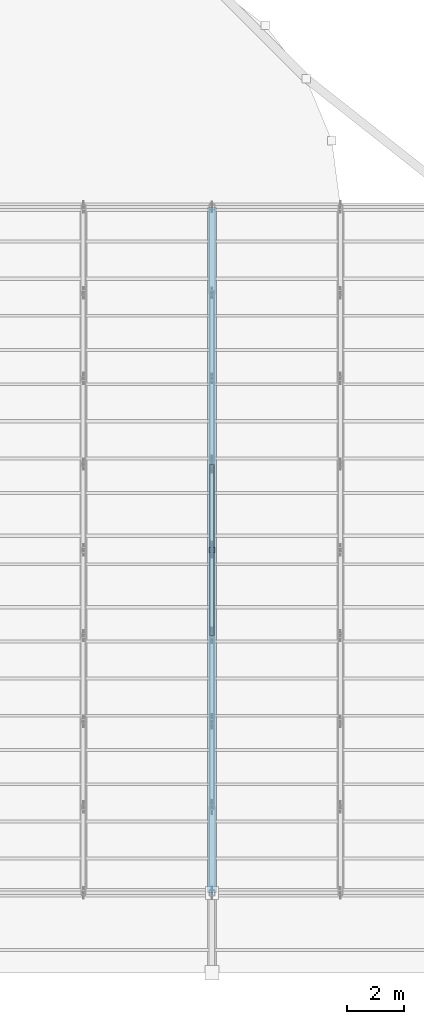
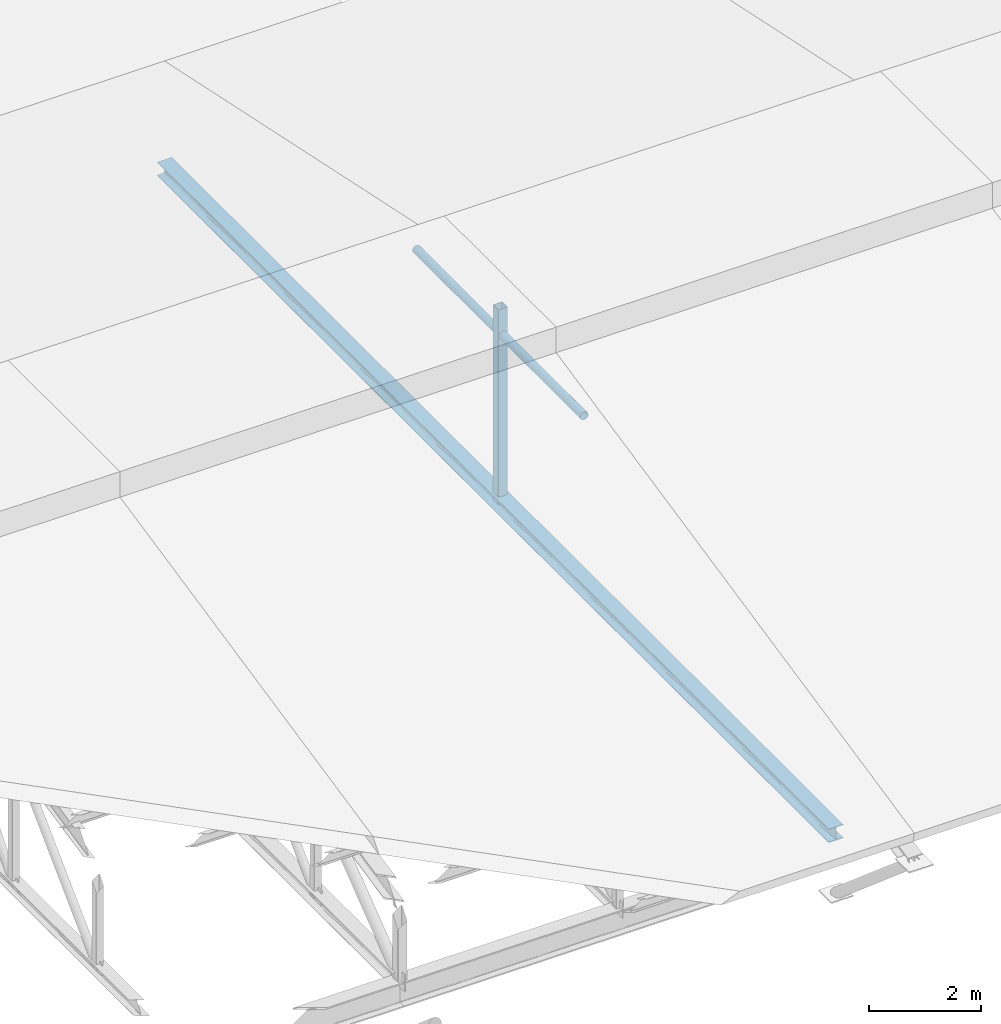
# One storey, part 17 of 43: 3 members.
"""IFC4 building model written with IfcOpenShell, lengths in metres."""

import ifcopenshell
import ifcopenshell.guid

model = None  # the IFC model being written
_history = None  # IfcOwnerHistory: only IFC2X3 demands one
_inside = {}  # id of a spatial element -> (the spatial element, [elements in it])
_under = {}  # id of a project, library or spatial element -> (it, [spatial elements below it])
_declared = {}  # id of a project -> (the project, [libraries it declares])
_typed = {}  # id of a type object -> (the type object, [elements of that type])
_made_of = {}  # id of a material, layer set ... -> (it, [elements and type objects made of it])


def new_model(schema):
    """Start an empty IFC model of exactly this schema.

    Asked for "IFC4X3", IfcOpenShell would pick the latest addendum, in which some entities
    have other attributes; the version numbers below select the first issue.
    IFC2X3 requires an IfcOwnerHistory on every rooted entity: one is made here for all.
    """
    global model, _history
    if schema == "IFC4X3":
        model = ifcopenshell.file(schema_version=(4, 3, 0, 0))
    else:
        model = ifcopenshell.file(schema=schema)
    _inside.clear()
    _under.clear()
    _declared.clear()
    _typed.clear()
    _made_of.clear()
    _history = None
    if model.schema == "IFC2X3":
        org = make("IfcOrganization", Name="unknown")
        user = make(
            "IfcPersonAndOrganization",
            ThePerson=make("IfcPerson", FamilyName="unknown"),
            TheOrganization=org,
        )
        app = make(
            "IfcApplication",
            ApplicationDeveloper=org,
            Version="unknown",
            ApplicationFullName="unknown",
            ApplicationIdentifier="unknown",
        )
        _history = make(
            "IfcOwnerHistory",
            OwningUser=user,
            OwningApplication=app,
            ChangeAction="ADDED",
            CreationDate=0,
        )
    return model


def make(cls, **values):
    """One entity of the class cls with the attributes given. An attribute that is None is left unset."""
    return model.create_entity(
        cls, **{name: value for name, value in values.items() if value is not None}
    )


def rooted(cls, **values):
    """An entity with a GlobalId (a new one), such as an element, a storey or a relation."""
    return make(cls, GlobalId=ifcopenshell.guid.new(), OwnerHistory=_history, **values)


def si_unit(unit_type, name, prefix=None):
    """IfcSIUnit, for example si_unit("LENGTHUNIT", "METRE", prefix="MILLI")."""
    return make("IfcSIUnit", UnitType=unit_type, Prefix=prefix, Name=name)


def assignment(units):
    """IfcUnitAssignment: the units of a project."""
    return None if units is None else make("IfcUnitAssignment", Units=units)


def point(xyz):
    """IfcCartesianPoint."""
    return None if xyz is None else make("IfcCartesianPoint", Coordinates=xyz)


def direction(xyz):
    """IfcDirection."""
    return None if xyz is None else make("IfcDirection", DirectionRatios=xyz)


def frame(location, z_axis=None, x_axis=None):
    """IfcAxis2Placement3D, a coordinate frame: its origin and axes. An axis left out is left unset."""
    return make(
        "IfcAxis2Placement3D",
        Location=point(location),
        Axis=direction(z_axis),
        RefDirection=direction(x_axis),
    )


def frame_2d(location, x_axis=None):
    """IfcAxis2Placement2D, a coordinate frame in the plane: its origin and x axis."""
    return make(
        "IfcAxis2Placement2D", Location=point(location), RefDirection=direction(x_axis)
    )


def origin():
    """The frame at (0, 0, 0) with its axes left unset."""
    return frame((0.0, 0.0, 0.0))


def origin_2d():
    """The frame at (0, 0) in the plane with its x axis left unset."""
    return frame_2d((0.0, 0.0))


def place(relative_to, where):
    """IfcLocalPlacement: puts the frame where relative to a parent placement (None: the world)."""
    return make(
        "IfcLocalPlacement", PlacementRelTo=relative_to, RelativePlacement=where
    )


def context(
    kind, dimensions, precision=None, world=None, true_north=None, identifier=None
):
    """IfcGeometricRepresentationContext, for example the 3D "Model" context."""
    return make(
        "IfcGeometricRepresentationContext",
        ContextIdentifier=identifier,
        ContextType=kind,
        CoordinateSpaceDimension=dimensions,
        Precision=precision,
        WorldCoordinateSystem=world,
        TrueNorth=true_north,
    )


def subcontext(parent, identifier, kind, view, scale=None):
    """IfcGeometricRepresentationSubContext, for example "Body" below "Model"."""
    return make(
        "IfcGeometricRepresentationSubContext",
        ContextIdentifier=identifier,
        ContextType=kind,
        ParentContext=parent,
        TargetScale=scale,
        TargetView=view,
    )


def project(units=None, contexts=None):
    """IfcProject with its units and contexts."""
    return rooted(
        "IfcProject",
        Name="project",
        RepresentationContexts=contexts,
        UnitsInContext=assignment(units),
    )


def spatial(cls, under=None, at=None, **own):
    """A site, building, storey or space (cls), placed at a placement, below another one or the project."""
    s = rooted(cls, ObjectPlacement=at, **own)
    if under is not None:
        _under.setdefault(under.id(), (under, []))[1].append(s)
    return s


def profile(cls, at=None, kind="AREA", **sizes):
    """A parametric profile (cls). Its sizes go by their IFC names, for example OverallWidth=200.0."""
    return make(cls, ProfileType=kind, Position=at, **sizes)


def hollow_rectangle(**sizes):
    """IfcRectangleHollowProfileDef."""
    return profile("IfcRectangleHollowProfileDef", **sizes)


def hollow_circle(**sizes):
    """IfcCircleHollowProfileDef."""
    return profile("IfcCircleHollowProfileDef", **sizes)


def i_section(**sizes):
    """IfcIShapeProfileDef."""
    return profile("IfcIShapeProfileDef", **sizes)


def extrude(swept, where, along, depth):
    """IfcExtrudedAreaSolid: the profile swept, set in the frame where, extruded along a direction by depth."""
    return make(
        "IfcExtrudedAreaSolid",
        SweptArea=swept,
        Position=where,
        ExtrudedDirection=direction(along),
        Depth=depth,
    )


def shape(context_of_items, identifier, shape_type, items):
    """IfcShapeRepresentation: the items that make up one representation, for example the "Body"."""
    return make(
        "IfcShapeRepresentation",
        ContextOfItems=context_of_items,
        RepresentationIdentifier=identifier,
        RepresentationType=shape_type,
        Items=items,
    )


def material(Name=None, Category=None):
    """IfcMaterial."""
    return make("IfcMaterial", Name=Name, Category=Category)


def material_profile(
    of_material, cross_section, Name=None, Category=None, Priority=None
):
    """IfcMaterialProfile: a cross section and its material."""
    return make(
        "IfcMaterialProfile",
        Name=Name,
        Material=of_material,
        Profile=cross_section,
        Priority=Priority,
        Category=Category,
    )


def profile_set(profiles, Name=None, composite=None):
    """IfcMaterialProfileSet."""
    return make(
        "IfcMaterialProfileSet",
        Name=Name,
        MaterialProfiles=profiles,
        CompositeProfile=composite,
    )


def made_of(thing, what):
    """Note that an element or type object is made of a material, layer set ...; save() writes the relation."""
    if what is not None:
        _made_of.setdefault(what.id(), (what, []))[1].append(thing)
    return thing


def type_object(cls, material=None, **own):
    """A type object (cls), such as IfcWallType, which elements share."""
    return made_of(rooted(cls, **own), material)


def element(
    cls,
    number,
    at=None,
    inside=None,
    cuts=None,
    type_object=None,
    material=None,
    context=None,
    identifier="Body",
    shape_type=None,
    held_by="IfcProductDefinitionShape",
    body=None,
    shapes=None,
    **own,
):
    """One element of the class cls, such as IfcWall. Its Tag is "e" and its number.

    at: its placement. inside: the storey or other place that contains it. cuts: it is an
    opening in that element (IfcRelVoidsElement). A single representation is given by context,
    identifier, shape_type and body (its items); several are given by shapes. held_by: the class
    of the entity that holds the representations. save() writes the other relations.
    """
    e = rooted(cls, Tag="e%d" % number, ObjectPlacement=at, **own)
    if body is not None:
        shapes = [shape(context, identifier, shape_type, body)]
    if shapes is not None:
        e.Representation = make(held_by, Representations=shapes)
    if inside is not None:
        _inside.setdefault(inside.id(), (inside, []))[1].append(e)
    if cuts is not None:
        rooted(
            "IfcRelVoidsElement", RelatingBuildingElement=cuts, RelatedOpeningElement=e
        )
    if type_object is not None:
        _typed.setdefault(type_object.id(), (type_object, []))[1].append(e)
    return made_of(e, material)


def aggregate(whole, parts):
    """IfcRelAggregates: a whole, such as a stair, and the parts it consists of."""
    return rooted("IfcRelAggregates", RelatingObject=whole, RelatedObjects=parts)


def save(model, path):
    """Write the relations noted so far, then the file.

    IfcRelAggregates (storeys below a building ...), IfcRelContainedInSpatialStructure (elements
    in a storey), IfcRelDefinesByType, IfcRelAssociatesMaterial and IfcRelDeclares: one each for
    every whole, place, type object, material and project.
    """
    for whole, parts in _under.values():
        aggregate(whole, parts)
    for where, things in _inside.values():
        rooted(
            "IfcRelContainedInSpatialStructure",
            RelatedElements=things,
            RelatingStructure=where,
        )
    for kind, things in _typed.values():
        rooted("IfcRelDefinesByType", RelatedObjects=things, RelatingType=kind)
    for what, things in _made_of.values():
        rooted("IfcRelAssociatesMaterial", RelatedObjects=things, RelatingMaterial=what)
    for by, libraries in _declared.values():
        rooted("IfcRelDeclares", RelatingContext=by, RelatedDefinitions=libraries)
    model.write(path)


model = new_model("IFC4")

# Units and contexts
model_context = context("Model", 3, precision=1e-05, world=origin(), true_north=direction((0.0, 1.0)))
body_context = subcontext(model_context, "Body", "Model", "MODEL_VIEW")
ifc_project = project(units=[si_unit("LENGTHUNIT", "METRE"), si_unit("AREAUNIT", "SQUARE_METRE"), si_unit("VOLUMEUNIT", "CUBIC_METRE"), si_unit("PLANEANGLEUNIT", "RADIAN"), si_unit("MASSUNIT", "GRAM", prefix="KILO")], contexts=[model_context])

# Site, building, storey
site_placement = place(None, origin())
site = spatial("IfcSite", under=ifc_project, at=site_placement, CompositionType="ELEMENT")
building_placement = place(site_placement, origin())
building = spatial("IfcBuilding", under=site, at=building_placement, Name="Serraforn Aerial Cableway Station", CompositionType="ELEMENT")
storey_placement = place(building_placement, frame((0.0, 0.0, 18.300048828125)))
storey = spatial("IfcBuildingStorey", under=building, at=storey_placement, Name="RF", CompositionType="ELEMENT", Elevation=18.300048828125)

# Members
ifc_material = material(Name="Steel S355J2", Category="steel")
ifc_material_profile_1 = material_profile(ifc_material, i_section(OverallWidth=0.300048828125, OverallDepth=0.300048828125, WebThickness=0.008544921875, FlangeThickness=0.013916015625, FilletRadius=0.027099609375, at=origin_2d()), Name="HEA 300")
ifc_profile_set_1 = profile_set([ifc_material_profile_1], Name="Steel S355J2")
member_type_1 = type_object("IfcMemberType", Name="MEM-BC-HEA300", PredefinedType="CHORD", material=ifc_profile_set_1)
member_1_placement = place(storey_placement, frame((63.60009765625, 18.0, -1.35009765625), z_axis=(0.0, 1.0, 0.0), x_axis=(-1.0, 0.0, 0.0)))
element("IfcMember", 1, at=member_1_placement, inside=storey, type_object=member_type_1, Name="Roof Truss TR-05 Bottom Chord", PredefinedType="CHORD", context=body_context, shape_type="SweptSolid", body=[
    extrude(i_section(OverallWidth=0.300048828125, OverallDepth=0.300048828125, WebThickness=0.008544921875, FlangeThickness=0.013916015625, FilletRadius=0.027099609375, at=origin_2d()), origin(), (0.0, 0.0, 1.0), 24.0),
])
ifc_material_profile_2 = material_profile(ifc_material, hollow_circle(Radius=0.084228515625, WallThickness=0.008056640625, at=origin_2d()), Name="CHS 168.3x8.0")
ifc_profile_set_2 = profile_set([ifc_material_profile_2], Name="Steel S355J2")
member_type_2 = type_object("IfcMemberType", Name="MEM-CL-CHS168", PredefinedType="COLLAR", material=ifc_profile_set_2)
member_2_placement = place(storey_placement, frame((63.60009765625, 27.0, 2.3076171875), z_axis=(0.0, 1.0, 0.0), x_axis=(-1.0, 0.0, 0.0)))
element("IfcMember", 2, at=member_2_placement, inside=storey, type_object=member_type_2, Name="Roof Truss TR-05 Collar Tie", PredefinedType="COLLAR", context=body_context, shape_type="SweptSolid", body=[
    extrude(hollow_circle(Radius=0.084228515625, WallThickness=0.008056640625, at=origin_2d()), origin(), (0.0, 0.0, 1.0), 6.0),
])
ifc_material_profile_3 = material_profile(ifc_material, hollow_rectangle(XDim=0.199951171875, YDim=0.199951171875, WallThickness=0.010009765625, InnerFilletRadius=0.010009765625, OuterFilletRadius=0.02001953125, at=origin_2d()), Name="SHS 200x200x10.0")
ifc_profile_set_3 = profile_set([ifc_material_profile_3], Name="Steel S355J2")
member_type_3 = type_object("IfcMemberType", Name="MEM-VP-SHS200", PredefinedType="STRUT", material=ifc_profile_set_3)
member_3_placement = place(storey_placement, frame((63.60009765625, 30.0, -1.360107421875), z_axis=(0.0, 0.0, 1.0), x_axis=(1.0, 0.0, 0.0)))
element("IfcMember", 3, at=member_3_placement, inside=storey, type_object=member_type_3, Name="Roof Truss TR-05 Vertical Post 5", PredefinedType="STRUT", context=body_context, shape_type="SweptSolid", body=[
    extrude(hollow_rectangle(XDim=0.199951171875, YDim=0.199951171875, WallThickness=0.010009765625, InnerFilletRadius=0.010009765625, OuterFilletRadius=0.02001953125, at=origin_2d()), origin(), (0.0, 0.0, 1.0), 4.24609375),
])

save(model, "model.ifc")
